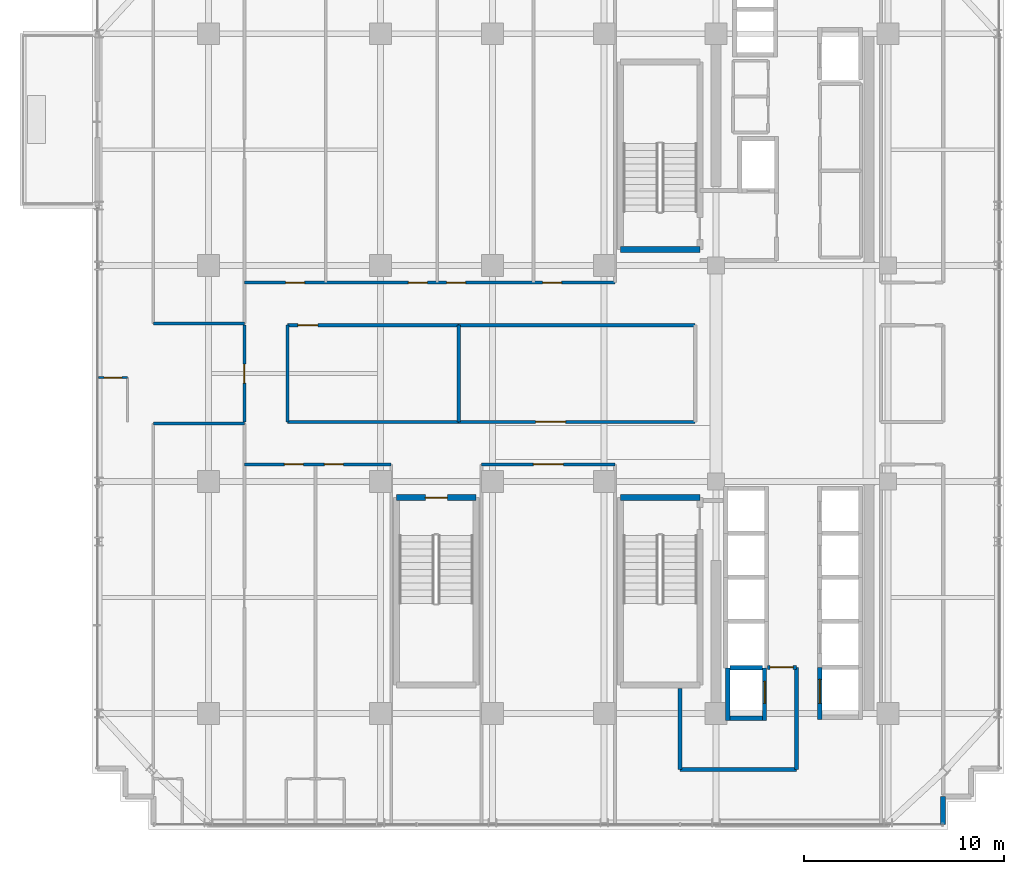
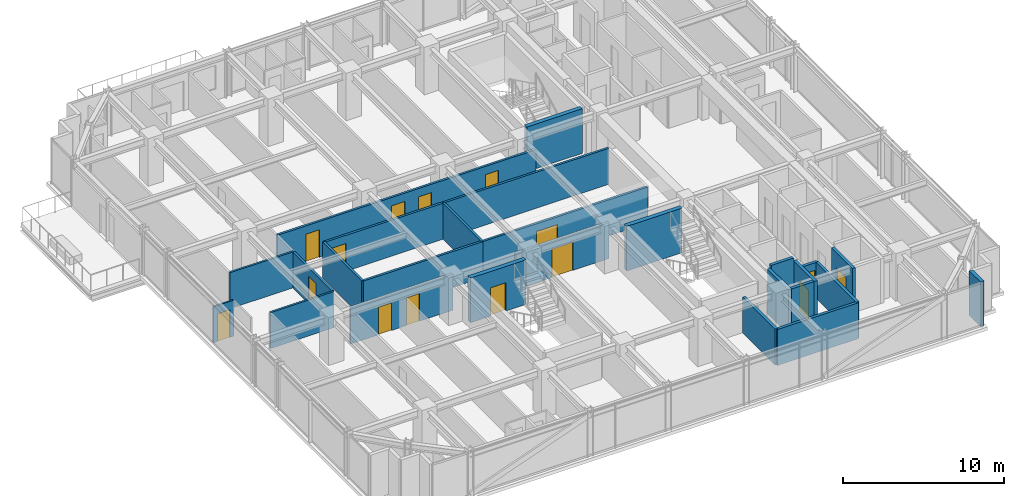
# One storey, part 26 of 32: 26 walls, 15 doors, 15 openings.
"""IFC4 building model written with IfcOpenShell, lengths in metres."""

from ifc_helpers import new_model, si_unit, direction, frame, frame_2d, origin, place, context, subcontext, project, spatial, rectangle, extrude, source, transform, mapped, material, layer, layer_set, type_object, element, fill, save


model = new_model("IFC4")

# Units and contexts
model_context = context("Model", 3, precision=1e-05, world=origin(), true_north=direction((0.0, 1.0)))
body_context = subcontext(model_context, "Body", "Model", "MODEL_VIEW")
ifc_project = project(units=[si_unit("LENGTHUNIT", "METRE"), si_unit("AREAUNIT", "SQUARE_METRE"), si_unit("VOLUMEUNIT", "CUBIC_METRE"), si_unit("PLANEANGLEUNIT", "RADIAN"), si_unit("MASSUNIT", "GRAM", prefix="KILO")], contexts=[model_context])

# Site, building, storey
site_placement = place(None, origin())
site = spatial("IfcSite", under=ifc_project, at=site_placement, CompositionType="ELEMENT")
building_placement = place(site_placement, origin())
building = spatial("IfcBuilding", under=site, at=building_placement, Name="Nahalor Promenade Grand Hotel", CompositionType="ELEMENT")
storey_placement = place(building_placement, frame((0.0, 0.0, 152.64990234375)))
storey = spatial("IfcBuildingStorey", under=building, at=storey_placement, Name="L38", CompositionType="ELEMENT", Elevation=152.64990234375)

# Walls
ifc_material_1 = material(Name="Concrete B-50 (C40/50)", Category="concrete")
ifc_layer_1 = layer(ifc_material_1, 0.300048828125)
ifc_layer_set_1 = layer_set([ifc_layer_1], Name="Concrete B-50 (C40/50)")
wall_type_1 = type_object("IfcWallType", Name="Wall-ShaftShear-300", PredefinedType="SHEAR", material=ifc_layer_set_1)
shared_shape_1 = source(origin(), body_context, "Body", "SweptSolid", [
    extrude(rectangle(XDim=3.97998046875, YDim=0.300048828125, at=frame_2d((1.989990234375, 0.0))), origin(), (0.0, 0.0, 1.0), 3.39013671875),
])
for number, where, z_axis, x_axis, name in (
    (1, (3.610107421875, 6.2099609375, 0.0), (0.0, 0.0, 1.0), (1.0, 0.0, 0.0), "L38 Exit Stair ST1 Shaft Wall S"),
    (2, (3.610107421875, -6.2099609375, 0.0), (0.0, 0.0, 1.0), (1.0, 0.0, 0.0), "L38 Exit Stair ST2 Shaft Wall N"),
):
    element("IfcWall", number, at=place(storey_placement, frame(where, z_axis=z_axis, x_axis=x_axis)), inside=storey, type_object=wall_type_1, Name=name, PredefinedType="SHEAR", context=body_context, shape_type="MappedRepresentation", body=[
        mapped(shared_shape_1, transform((0.0, 0.0, 0.0), scale=1.0)),
    ])

# Wall, opening, door
wall_1_placement = place(storey_placement, frame((-7.590087890625, -6.2099609375, 0.0), z_axis=(0.0, 0.0, 1.0), x_axis=(1.0, 0.0, 0.0)))
wall_1 = element("IfcWall", 3, at=wall_1_placement, inside=storey, type_object=wall_type_1, Name="L38 Exit Stair ST3 Shaft Wall N", PredefinedType="SHEAR", context=body_context, shape_type="MappedRepresentation", body=[
    mapped(shared_shape_1, transform((0.0, 0.0, 0.0), scale=1.0)),
])
opening_1_placement = place(wall_1_placement, frame((1.43994140625, 0.0, 0.0)))
opening_1 = element("IfcOpeningElement", 4, at=opening_1_placement, cuts=wall_1, Name="Opening D-ST1", PredefinedType="OPENING", context=body_context, shape_type="SweptSolid", body=[
    extrude(rectangle(XDim=1.10009765625, YDim=2.14990234375, at=frame_2d((0.550048828125, 1.074951171875))), frame((0.0, 0.159912109375, 0.0), z_axis=(0.0, -1.0, 0.0), x_axis=(1.0, 0.0, 0.0)), (0.0, 0.0, 1.0), 0.320068359375),
])
ifc_material_2 = material(Name="Steel S355JR", Category="steel")
door_type_1 = type_object("IfcDoorType", Name="Door-StairFire-1100", OperationType="NOTDEFINED", PredefinedType="DOOR", material=ifc_material_2)
shared_shape_2 = source(origin(), body_context, "Body", "SweptSolid", [
    extrude(rectangle(XDim=1.10009765625, YDim=2.14990234375, at=frame_2d((0.550048828125, 1.074951171875))), frame((0.0, 0.02490234375, 0.0), z_axis=(0.0, -1.0, 0.0), x_axis=(1.0, 0.0, 0.0)), (0.0, 0.0, 1.0), 0.050048828125),
])
door_1_placement = place(opening_1_placement, frame((1.10009765625, 0.0, 0.0), z_axis=(0.0, 0.0, 1.0), x_axis=(-1.0, 0.0, 0.0)))
door_1 = element("IfcDoor", 5, at=door_1_placement, inside=storey, type_object=door_type_1, Name="DR-STAIR-ST3-L38", OperationType="SINGLE_SWING_LEFT", OverallHeight=2.14990234375, OverallWidth=1.10009765625, PredefinedType="DOOR", context=body_context, shape_type="MappedRepresentation", body=[
    mapped(shared_shape_2, transform((0.0, 0.0, 0.0), scale=1.0)),
])
fill(opening_1, door_1)

# Walls
ifc_layer_2 = layer(ifc_material_1, 0.219970703125)
ifc_layer_set_2 = layer_set([ifc_layer_2], Name="Concrete B-50 (C40/50)")
wall_type_2 = type_object("IfcWallType", Name="Wall-LiftShaft-220", PredefinedType="SHEAR", material=ifc_layer_set_2)
shared_shape_3 = source(origin(), body_context, "Body", "SweptSolid", [
    extrude(rectangle(XDim=1.619873046875, YDim=0.219970703125, at=frame_2d((0.81005859375, 0.0))), origin(), (0.0, 0.0, 1.0), 3.650146484375),
])
wall_2_placement = place(storey_placement, frame((9.090087890625, -14.72509765625, 0.0), z_axis=(0.0, 0.0, 1.0), x_axis=(1.0, 0.0, 0.0)))
element("IfcWall", 6, at=wall_2_placement, inside=storey, type_object=wall_type_2, Name="L38 Lift FL2 Hoistway Wall N", PredefinedType="SHEAR", context=body_context, shape_type="MappedRepresentation", body=[
    mapped(shared_shape_3, transform((0.0, 0.0, 0.0), scale=1.0)),
])
shared_shape_4 = source(origin(), body_context, "Body", "SweptSolid", [
    extrude(rectangle(XDim=2.635009765625, YDim=0.219970703125, at=frame_2d((1.3173828125, 0.0))), origin(), (0.0, 0.0, 1.0), 3.39013671875),
])
wall_3_placement = place(storey_placement, frame((8.97998046875, -17.360107421875, 0.0), z_axis=(0.0, 0.0, 1.0), x_axis=(0.0, 1.0, 0.0)))
element("IfcWall", 7, at=wall_3_placement, inside=storey, type_object=wall_type_2, Name="L38 Lift FL2 Hoistway Wall W", PredefinedType="SHEAR", context=body_context, shape_type="MappedRepresentation", body=[
    mapped(shared_shape_4, transform((0.0, 0.0, 0.0), scale=1.0)),
])

# Wall, opening, door
wall_4_placement = place(storey_placement, frame((10.820068359375, -17.360107421875, 0.0), z_axis=(0.0, 0.0, 1.0), x_axis=(0.0, 1.0, 0.0)))
wall_4 = element("IfcWall", 8, at=wall_4_placement, inside=storey, type_object=wall_type_2, Name="L38 Lift FL2 Hoistway Wall E", PredefinedType="SHEAR", context=body_context, shape_type="MappedRepresentation", body=[
    mapped(shared_shape_4, transform((0.0, 0.0, 0.0), scale=1.0)),
])
opening_2_placement = place(wall_4_placement, frame((0.860107421875, 0.0, 0.0)))
opening_2 = element("IfcOpeningElement", 9, at=opening_2_placement, cuts=wall_4, Name="Opening LD-02", PredefinedType="OPENING", context=body_context, shape_type="SweptSolid", body=[
    extrude(rectangle(XDim=1.10009765625, YDim=2.199951171875, at=frame_2d((0.550048828125, 1.10009765625))), frame((0.0, 0.119873046875, 0.0), z_axis=(0.0, -1.0, 0.0), x_axis=(1.0, 0.0, 0.0)), (0.0, 0.0, 1.0), 0.239990234375),
])
door_type_2 = type_object("IfcDoorType", Name="Door-LiftFF-1100", OperationType="DOUBLE_DOOR_SLIDING", PredefinedType="DOOR", material=ifc_material_2)
shared_shape_5 = source(origin(), body_context, "Body", "SweptSolid", [
    extrude(rectangle(XDim=1.10009765625, YDim=2.199951171875, at=frame_2d((0.550048828125, 1.10009765625))), frame((0.0, 0.02490234375, 0.0), z_axis=(0.0, -1.0, 0.0), x_axis=(1.0, 0.0, 0.0)), (0.0, 0.0, 1.0), 0.050048828125),
])
door_2_placement = place(opening_2_placement, frame((1.10009765625, 0.0, 0.0), z_axis=(0.0, 0.0, 1.0), x_axis=(-1.0, 0.0, 0.0)))
door_2 = element("IfcDoor", 10, at=door_2_placement, inside=storey, type_object=door_type_2, Name="DR-LIFT-FL2-L38", OperationType="DOUBLE_DOOR_SLIDING", OverallHeight=2.199951171875, OverallWidth=1.10009765625, PredefinedType="DOOR", context=body_context, shape_type="MappedRepresentation", body=[
    mapped(shared_shape_5, transform((0.0, 0.0, 0.0), scale=1.0)),
])
fill(opening_2, door_2)

# Wall
shared_shape_6 = source(origin(), body_context, "Body", "SweptSolid", [
    extrude(rectangle(XDim=1.619873046875, YDim=0.219970703125, at=frame_2d((0.81005859375, 0.0))), origin(), (0.0, 0.0, 1.0), 3.39013671875),
])
wall_5_placement = place(storey_placement, frame((9.090087890625, -17.25, 0.0), z_axis=(0.0, 0.0, 1.0), x_axis=(1.0, 0.0, 0.0)))
element("IfcWall", 11, at=wall_5_placement, inside=storey, type_object=wall_type_2, Name="L38 Lift FL2 Hoistway Wall S", PredefinedType="SHEAR", context=body_context, shape_type="MappedRepresentation", body=[
    mapped(shared_shape_6, transform((0.0, 0.0, 0.0), scale=1.0)),
])

# Wall, opening, door
shared_shape_7 = source(origin(), body_context, "Body", "SweptSolid", [
    extrude(rectangle(XDim=2.610107421875, YDim=0.219970703125, at=frame_2d((1.30517578125, 0.0))), origin(), (0.0, 0.0, 1.0), 3.39013671875),
])
wall_6_placement = place(storey_placement, frame((13.580078125, -17.31005859375, 0.0), z_axis=(0.0, 0.0, 1.0), x_axis=(0.0, 1.0, 0.0)))
wall_6 = element("IfcWall", 12, at=wall_6_placement, inside=storey, type_object=wall_type_2, Name="L38 Lift SV2 Hoistway Wall W", PredefinedType="SHEAR", context=body_context, shape_type="MappedRepresentation", body=[
    mapped(shared_shape_7, transform((0.0, 0.0, 0.0), scale=1.0)),
])
opening_3_placement = place(wall_6_placement, frame((0.81005859375, 0.0, 0.0)))
opening_3 = element("IfcOpeningElement", 13, at=opening_3_placement, cuts=wall_6, Name="Opening LD-03", PredefinedType="OPENING", context=body_context, shape_type="SweptSolid", body=[
    extrude(rectangle(XDim=1.199951171875, YDim=2.199951171875, at=frame_2d((0.60009765625, 1.10009765625))), frame((0.0, 0.119873046875, 0.0), z_axis=(0.0, -1.0, 0.0), x_axis=(1.0, 0.0, 0.0)), (0.0, 0.0, 1.0), 0.239990234375),
])
door_type_3 = type_object("IfcDoorType", Name="Door-LiftService-1200", OperationType="DOUBLE_DOOR_SLIDING", PredefinedType="DOOR", material=ifc_material_2)
shared_shape_8 = source(origin(), body_context, "Body", "SweptSolid", [
    extrude(rectangle(XDim=1.199951171875, YDim=2.199951171875, at=frame_2d((0.60009765625, 1.10009765625))), frame((0.0, 0.02490234375, 0.0), z_axis=(0.0, -1.0, 0.0), x_axis=(1.0, 0.0, 0.0)), (0.0, 0.0, 1.0), 0.050048828125),
])
door_3_placement = place(opening_3_placement, origin())
door_3 = element("IfcDoor", 14, at=door_3_placement, inside=storey, type_object=door_type_3, Name="DR-LIFT-SV2-L38", OperationType="DOUBLE_DOOR_SLIDING", OverallHeight=2.199951171875, OverallWidth=1.199951171875, PredefinedType="DOOR", context=body_context, shape_type="MappedRepresentation", body=[
    mapped(shared_shape_8, transform((0.0, 0.0, 0.0), scale=1.0)),
])
fill(opening_3, door_3)

# Walls
ifc_material_3 = material(Name="Concrete B-40 (C32/40)", Category="concrete")
ifc_layer_3 = layer(ifc_material_3, 0.25)
ifc_layer_set_3 = layer_set([ifc_layer_3], Name="Concrete B-40 (C32/40)")
wall_type_3 = type_object("IfcWallType", Name="Wall-BronzePier-250", PredefinedType="STANDARD", material=ifc_layer_set_3)
shared_shape_9 = source(origin(), body_context, "Body", "SweptSolid", [
    extrude(rectangle(XDim=1.400146484375, YDim=0.25, at=frame_2d((0.7001953125, 0.0))), origin(), (0.0, 0.0, 1.0), 3.39013671875),
])
wall_7_placement = place(storey_placement, frame((19.760009765625, -22.56005859375, 0.0), z_axis=(0.0, 0.0, 1.0), x_axis=(0.0, 1.0, 0.0)))
element("IfcWall", 15, at=wall_7_placement, inside=storey, type_object=wall_type_3, Name="W-L38-SR-01", PredefinedType="STANDARD", context=body_context, shape_type="MappedRepresentation", body=[
    mapped(shared_shape_9, transform((0.0, 0.0, 0.0), scale=1.0)),
])
ifc_layer_4 = layer(ifc_material_3, 0.199951171875)
ifc_layer_set_4 = layer_set([ifc_layer_4], Name="Concrete B-40 (C32/40)")
wall_type_4 = type_object("IfcWallType", Name="Wall-PartFire-200", PredefinedType="PARTITIONING", material=ifc_layer_set_4)
shared_shape_10 = source(origin(), body_context, "Body", "SweptSolid", [
    extrude(rectangle(XDim=5.81982421875, YDim=0.199951171875, at=frame_2d((2.909912109375, 0.0))), origin(), (0.0, 0.0, 1.0), 2.72998046875),
])
wall_8_placement = place(storey_placement, frame((6.60009765625, -19.800048828125, 0.0), z_axis=(0.0, 0.0, 1.0), x_axis=(1.0, 0.0, 0.0)))
element("IfcWall", 16, at=wall_8_placement, inside=storey, type_object=wall_type_4, Name="W-L38-FF2-S1", PredefinedType="PARTITIONING", context=body_context, shape_type="MappedRepresentation", body=[
    mapped(shared_shape_10, transform((0.0, 0.0, 0.0), scale=1.0)),
])
shared_shape_11 = source(origin(), body_context, "Body", "SweptSolid", [
    extrude(rectangle(XDim=4.030029296875, YDim=0.199951171875, at=frame_2d((2.01513671875, 0.0))), origin(), (0.0, 0.0, 1.0), 2.72998046875),
])
wall_9_placement = place(storey_placement, frame((6.60009765625, -19.800048828125, 0.0), z_axis=(0.0, 0.0, 1.0), x_axis=(0.0, 1.0, 0.0)))
element("IfcWall", 17, at=wall_9_placement, inside=storey, type_object=wall_type_4, Name="W-L38-FF2-W1", PredefinedType="PARTITIONING", context=body_context, shape_type="MappedRepresentation", body=[
    mapped(shared_shape_11, transform((0.0, 0.0, 0.0), scale=1.0)),
])
shared_shape_12 = source(origin(), body_context, "Body", "SweptSolid", [
    extrude(rectangle(XDim=5.10009765625, YDim=0.199951171875, at=frame_2d((2.550048828125, 0.0))), origin(), (0.0, 0.0, 1.0), 2.72998046875),
])
wall_10_placement = place(storey_placement, frame((12.419921875, -19.800048828125, 0.0), z_axis=(0.0, 0.0, 1.0), x_axis=(0.0, 1.0, 0.0)))
element("IfcWall", 18, at=wall_10_placement, inside=storey, type_object=wall_type_4, Name="W-L38-FF2-E", PredefinedType="PARTITIONING", context=body_context, shape_type="MappedRepresentation", body=[
    mapped(shared_shape_12, transform((0.0, 0.0, 0.0), scale=1.0)),
])

# Wall, opening, door
shared_shape_13 = source(origin(), body_context, "Body", "SweptSolid", [
    extrude(rectangle(XDim=1.4599609375, YDim=0.199951171875, at=frame_2d((0.72998046875, 0.0))), origin(), (0.0, 0.0, 1.0), 2.72998046875),
])
wall_11_placement = place(storey_placement, frame((10.9599609375, -14.699951171875, 0.0), z_axis=(0.0, 0.0, 1.0), x_axis=(1.0, 0.0, 0.0)))
wall_11 = element("IfcWall", 19, at=wall_11_placement, inside=storey, type_object=wall_type_4, Name="W-L38-FF2-N1", PredefinedType="PARTITIONING", context=body_context, shape_type="MappedRepresentation", body=[
    mapped(shared_shape_13, transform((0.0, 0.0, 0.0), scale=1.0)),
])
opening_4_placement = place(wall_11_placement, frame((0.14501953125, 0.0, 0.0)))
opening_4 = element("IfcOpeningElement", 20, at=opening_4_placement, cuts=wall_11, Name="Opening D-FF1", PredefinedType="OPENING", context=body_context, shape_type="SweptSolid", body=[
    extrude(rectangle(XDim=1.14990234375, YDim=2.14990234375, at=frame_2d((0.574951171875, 1.074951171875))), frame((0.0, 0.10986328125, 0.0), z_axis=(0.0, -1.0, 0.0), x_axis=(1.0, 0.0, 0.0)), (0.0, 0.0, 1.0), 0.219970703125),
])
door_type_4 = type_object("IfcDoorType", Name="Door-FFLobby-1150", OperationType="NOTDEFINED", PredefinedType="DOOR", material=ifc_material_2)
shared_shape_14 = source(origin(), body_context, "Body", "SweptSolid", [
    extrude(rectangle(XDim=1.14990234375, YDim=2.14990234375, at=frame_2d((0.574951171875, 1.074951171875))), frame((0.0, 0.02490234375, 0.0), z_axis=(0.0, -1.0, 0.0), x_axis=(1.0, 0.0, 0.0)), (0.0, 0.0, 1.0), 0.050048828125),
])
door_4_placement = place(opening_4_placement, origin())
door_4 = element("IfcDoor", 21, at=door_4_placement, inside=storey, type_object=door_type_4, Name="DR-L38-FFL2", OperationType="SINGLE_SWING_RIGHT", OverallHeight=2.14990234375, OverallWidth=1.14990234375, PredefinedType="DOOR", context=body_context, shape_type="MappedRepresentation", body=[
    mapped(shared_shape_14, transform((0.0, 0.0, 0.0), scale=1.0)),
])
fill(opening_4, door_4)

# Walls
ifc_material_4 = material(Name="Acoustic Mineral Gypsum", Category="gypsum")
ifc_layer_5 = layer(ifc_material_4, 0.139892578125)
ifc_layer_set_5 = layer_set([ifc_layer_5], Name="Acoustic Mineral Gypsum")
wall_type_5 = type_object("IfcWallType", Name="Wall-PartSuite-140", PredefinedType="PARTITIONING", material=ifc_layer_set_5)
shared_shape_15 = source(origin(), body_context, "Body", "SweptSolid", [
    extrude(rectangle(XDim=4.56005859375, YDim=0.139892578125, at=frame_2d((2.280029296875, 0.0))), origin(), (0.0, 0.0, 1.0), 2.72998046875),
])
for number, where, z_axis, x_axis, name in (
    (22, (-19.760009765625, 2.5, 0.0), (0.0, 0.0, 1.0), (1.0, 0.0, 0.0), "W-L38-ZNW-S"),
    (23, (-19.760009765625, -2.5, 0.0), (0.0, 0.0, 1.0), (1.0, 0.0, 0.0), "W-L38-ZSW-N"),
):
    element("IfcWall", number, at=place(storey_placement, frame(where, z_axis=z_axis, x_axis=x_axis)), inside=storey, type_object=wall_type_5, Name=name, PredefinedType="PARTITIONING", context=body_context, shape_type="MappedRepresentation", body=[
        mapped(shared_shape_15, transform((0.0, 0.0, 0.0), scale=1.0)),
    ])

# Wall, opening, door
ifc_layer_6 = layer(ifc_material_4, 0.1201171875)
ifc_layer_set_6 = layer_set([ifc_layer_6], Name="Acoustic Mineral Gypsum")
wall_type_6 = type_object("IfcWallType", Name="Wall-PartBath-120", PredefinedType="PARTITIONING", material=ifc_layer_set_6)
shared_shape_16 = source(origin(), body_context, "Body", "SweptSolid", [
    extrude(rectangle(XDim=1.449951171875, YDim=0.1201171875, at=frame_2d((0.72509765625, 0.0))), origin(), (0.0, 0.0, 1.0), 2.72998046875),
])
wall_12_placement = place(storey_placement, frame((-22.5, -0.199951171875, 0.0), z_axis=(0.0, 0.0, 1.0), x_axis=(1.0, 0.0, 0.0)))
wall_12 = element("IfcWall", 24, at=wall_12_placement, inside=storey, type_object=wall_type_6, Name="W-L38-W1-BH", PredefinedType="PARTITIONING", context=body_context, shape_type="MappedRepresentation", body=[
    mapped(shared_shape_16, transform((0.0, 0.0, 0.0), scale=1.0)),
])
opening_5_placement = place(wall_12_placement, frame((0.284912109375, 0.0, 0.0)))
opening_5 = element("IfcOpeningElement", 25, at=opening_5_placement, cuts=wall_12, Name="Opening D-03", PredefinedType="OPENING", context=body_context, shape_type="SweptSolid", body=[
    extrude(rectangle(XDim=0.8798828125, YDim=2.10009765625, at=frame_2d((0.43994140625, 1.050048828125))), frame((0.0, 0.070068359375, 0.0), z_axis=(0.0, -1.0, 0.0), x_axis=(1.0, 0.0, 0.0)), (0.0, 0.0, 1.0), 0.14013671875),
])
ifc_material_5 = material(Name="Fire-Rated Timber Composite", Category="wood")
door_type_5 = type_object("IfcDoorType", Name="Door-BathSwing-880", OperationType="NOTDEFINED", PredefinedType="DOOR", material=ifc_material_5)
shared_shape_17 = source(origin(), body_context, "Body", "SweptSolid", [
    extrude(rectangle(XDim=0.8798828125, YDim=2.10009765625, at=frame_2d((0.43994140625, 1.050048828125))), frame((0.0, 0.02490234375, 0.0), z_axis=(0.0, -1.0, 0.0), x_axis=(1.0, 0.0, 0.0)), (0.0, 0.0, 1.0), 0.050048828125),
])
door_5_placement = place(opening_5_placement, frame((0.8798828125, 0.0, 0.0), z_axis=(0.0, 0.0, 1.0), x_axis=(-1.0, 0.0, 0.0)))
door_5 = element("IfcDoor", 26, at=door_5_placement, inside=storey, type_object=door_type_5, Name="DR-L38-W1-BATH", OperationType="SINGLE_SWING_LEFT", OverallHeight=2.10009765625, OverallWidth=0.8798828125, PredefinedType="DOOR", context=body_context, shape_type="MappedRepresentation", body=[
    mapped(shared_shape_17, transform((0.0, 0.0, 0.0), scale=1.0)),
])
fill(opening_5, door_5)

# Wall, openings, doors
ifc_layer_7 = layer(ifc_material_4, 0.159912109375)
ifc_layer_set_7 = layer_set([ifc_layer_7], Name="Acoustic Mineral Gypsum")
wall_type_7 = type_object("IfcWallType", Name="Wall-PartCorridor-160", PredefinedType="PARTITIONING", material=ifc_layer_set_7)
shared_shape_18 = source(origin(), body_context, "Body", "SweptSolid", [
    extrude(rectangle(XDim=18.5400390625, YDim=0.159912109375, at=frame_2d((9.27001953125, 0.0))), origin(), (0.0, 0.0, 1.0), 2.72998046875),
])
wall_13_placement = place(storey_placement, frame((-15.199951171875, 4.550048828125, 0.0), z_axis=(0.0, 0.0, 1.0), x_axis=(1.0, 0.0, 0.0)))
wall_13 = element("IfcWall", 27, at=wall_13_placement, inside=storey, type_object=wall_type_7, Name="W-L38-CORR-N", PredefinedType="PARTITIONING", context=body_context, shape_type="MappedRepresentation", body=[
    mapped(shared_shape_18, transform((0.0, 0.0, 0.0), scale=1.0)),
])
opening_6_placement = place(wall_13_placement, frame((2.06201171875, 0.0, 0.0)))
opening_6 = element("IfcOpeningElement", 28, at=opening_6_placement, cuts=wall_13, Name="Opening D-01", PredefinedType="OPENING", context=body_context, shape_type="SweptSolid", body=[
    extrude(rectangle(XDim=0.949951171875, YDim=2.10009765625, at=frame_2d((0.47509765625, 1.050048828125))), frame((0.0, 0.08984375, 0.0), z_axis=(0.0, -1.0, 0.0), x_axis=(1.0, 0.0, 0.0)), (0.0, 0.0, 1.0), 0.179931640625),
])
opening_7_placement = place(wall_13_placement, frame((8.202880859375, 0.0, 0.0)))
opening_7 = element("IfcOpeningElement", 29, at=opening_7_placement, cuts=wall_13, Name="Opening D-01", PredefinedType="OPENING", context=body_context, shape_type="SweptSolid", body=[
    extrude(rectangle(XDim=0.949951171875, YDim=2.10009765625, at=frame_2d((0.47509765625, 1.050048828125))), frame((0.0, 0.08984375, 0.0), z_axis=(0.0, -1.0, 0.0), x_axis=(1.0, 0.0, 0.0)), (0.0, 0.0, 1.0), 0.179931640625),
])
opening_8_placement = place(wall_13_placement, frame((10.113037109375, 0.0, 0.0)))
opening_8 = element("IfcOpeningElement", 30, at=opening_8_placement, cuts=wall_13, Name="Opening D-01", PredefinedType="OPENING", context=body_context, shape_type="SweptSolid", body=[
    extrude(rectangle(XDim=0.949951171875, YDim=2.10009765625, at=frame_2d((0.47509765625, 1.050048828125))), frame((0.0, 0.08984375, 0.0), z_axis=(0.0, -1.0, 0.0), x_axis=(1.0, 0.0, 0.0)), (0.0, 0.0, 1.0), 0.179931640625),
])
opening_9_placement = place(wall_13_placement, frame((14.916015625, 0.0, 0.0)))
opening_9 = element("IfcOpeningElement", 31, at=opening_9_placement, cuts=wall_13, Name="Opening D-01", PredefinedType="OPENING", context=body_context, shape_type="SweptSolid", body=[
    extrude(rectangle(XDim=0.949951171875, YDim=2.10009765625, at=frame_2d((0.47509765625, 1.050048828125))), frame((0.0, 0.08984375, 0.0), z_axis=(0.0, -1.0, 0.0), x_axis=(1.0, 0.0, 0.0)), (0.0, 0.0, 1.0), 0.179931640625),
])
door_type_6 = type_object("IfcDoorType", Name="Door-GuestEntry-950", OperationType="NOTDEFINED", PredefinedType="DOOR", material=ifc_material_5)
shared_shape_19 = source(origin(), body_context, "Body", "SweptSolid", [
    extrude(rectangle(XDim=0.949951171875, YDim=2.10009765625, at=frame_2d((0.47509765625, 1.050048828125))), frame((0.0, 0.02490234375, 0.0), z_axis=(0.0, -1.0, 0.0), x_axis=(1.0, 0.0, 0.0)), (0.0, 0.0, 1.0), 0.050048828125),
])
door_6_placement = place(opening_6_placement, origin())
door_6 = element("IfcDoor", 32, at=door_6_placement, inside=storey, type_object=door_type_6, Name="DR-L38-N1-ENT", OperationType="SINGLE_SWING_RIGHT", OverallHeight=2.10009765625, OverallWidth=0.949951171875, PredefinedType="DOOR", context=body_context, shape_type="MappedRepresentation", body=[
    mapped(shared_shape_19, transform((0.0, 0.0, 0.0), scale=1.0)),
])
fill(opening_6, door_6)
door_7_placement = place(opening_7_placement, origin())
door_7 = element("IfcDoor", 33, at=door_7_placement, inside=storey, type_object=door_type_6, Name="DR-L38-N2-ENT", OperationType="SINGLE_SWING_RIGHT", OverallHeight=2.10009765625, OverallWidth=0.949951171875, PredefinedType="DOOR", context=body_context, shape_type="MappedRepresentation", body=[
    mapped(shared_shape_19, transform((0.0, 0.0, 0.0), scale=1.0)),
])
fill(opening_7, door_7)
door_8_placement = place(opening_8_placement, origin())
door_8 = element("IfcDoor", 34, at=door_8_placement, inside=storey, type_object=door_type_6, Name="DR-L38-N3-ENT", OperationType="SINGLE_SWING_RIGHT", OverallHeight=2.10009765625, OverallWidth=0.949951171875, PredefinedType="DOOR", context=body_context, shape_type="MappedRepresentation", body=[
    mapped(shared_shape_19, transform((0.0, 0.0, 0.0), scale=1.0)),
])
fill(opening_8, door_8)
door_9_placement = place(opening_9_placement, origin())
door_9 = element("IfcDoor", 35, at=door_9_placement, inside=storey, type_object=door_type_6, Name="DR-L38-N4-ENT", OperationType="SINGLE_SWING_RIGHT", OverallHeight=2.10009765625, OverallWidth=0.949951171875, PredefinedType="DOOR", context=body_context, shape_type="MappedRepresentation", body=[
    mapped(shared_shape_19, transform((0.0, 0.0, 0.0), scale=1.0)),
])
fill(opening_9, door_9)

shared_shape_20 = source(origin(), body_context, "Body", "SweptSolid", [
    extrude(rectangle(XDim=7.33984375, YDim=0.159912109375, at=frame_2d((3.669921875, 0.0))), origin(), (0.0, 0.0, 1.0), 2.72998046875),
])
wall_14_placement = place(storey_placement, frame((-15.199951171875, -4.550048828125, 0.0), z_axis=(0.0, 0.0, 1.0), x_axis=(1.0, 0.0, 0.0)))
wall_14 = element("IfcWall", 36, at=wall_14_placement, inside=storey, type_object=wall_type_7, Name="W-L38-CORR-S", PredefinedType="PARTITIONING", context=body_context, shape_type="MappedRepresentation", body=[
    mapped(shared_shape_20, transform((0.0, 0.0, 0.0), scale=1.0)),
])
opening_10_placement = place(wall_14_placement, frame((2.0, 0.0, 0.0)))
opening_10 = element("IfcOpeningElement", 37, at=opening_10_placement, cuts=wall_14, Name="Opening D-01", PredefinedType="OPENING", context=body_context, shape_type="SweptSolid", body=[
    extrude(rectangle(XDim=0.949951171875, YDim=2.10009765625, at=frame_2d((0.47509765625, 1.050048828125))), frame((0.0, 0.08984375, 0.0), z_axis=(0.0, -1.0, 0.0), x_axis=(1.0, 0.0, 0.0)), (0.0, 0.0, 1.0), 0.179931640625),
])
opening_11_placement = place(wall_14_placement, frame((3.9990234375, 0.0, 0.0)))
opening_11 = element("IfcOpeningElement", 38, at=opening_11_placement, cuts=wall_14, Name="Opening D-01", PredefinedType="OPENING", context=body_context, shape_type="SweptSolid", body=[
    extrude(rectangle(XDim=0.949951171875, YDim=2.10009765625, at=frame_2d((0.47509765625, 1.050048828125))), frame((0.0, 0.08984375, 0.0), z_axis=(0.0, -1.0, 0.0), x_axis=(1.0, 0.0, 0.0)), (0.0, 0.0, 1.0), 0.179931640625),
])
door_10_placement = place(opening_10_placement, frame((0.949951171875, 0.0, 0.0), z_axis=(0.0, 0.0, 1.0), x_axis=(-1.0, 0.0, 0.0)))
door_10 = element("IfcDoor", 39, at=door_10_placement, inside=storey, type_object=door_type_6, Name="DR-L38-S1-ENT", OperationType="SINGLE_SWING_RIGHT", OverallHeight=2.10009765625, OverallWidth=0.949951171875, PredefinedType="DOOR", context=body_context, shape_type="MappedRepresentation", body=[
    mapped(shared_shape_19, transform((0.0, 0.0, 0.0), scale=1.0)),
])
fill(opening_10, door_10)
door_11_placement = place(opening_11_placement, frame((0.949951171875, 0.0, 0.0), z_axis=(0.0, 0.0, 1.0), x_axis=(-1.0, 0.0, 0.0)))
door_11 = element("IfcDoor", 40, at=door_11_placement, inside=storey, type_object=door_type_6, Name="DR-L38-S2-ENT", OperationType="SINGLE_SWING_RIGHT", OverallHeight=2.10009765625, OverallWidth=0.949951171875, PredefinedType="DOOR", context=body_context, shape_type="MappedRepresentation", body=[
    mapped(shared_shape_19, transform((0.0, 0.0, 0.0), scale=1.0)),
])
fill(opening_11, door_11)

# Wall, opening, door
shared_shape_21 = source(origin(), body_context, "Body", "SweptSolid", [
    extrude(rectangle(XDim=6.68017578125, YDim=0.159912109375, at=frame_2d((3.340087890625, 0.0))), origin(), (0.0, 0.0, 1.0), 2.72998046875),
])
wall_15_placement = place(storey_placement, frame((-3.340087890625, -4.550048828125, 0.0), z_axis=(0.0, 0.0, 1.0), x_axis=(1.0, 0.0, 0.0)))
wall_15 = element("IfcWall", 41, at=wall_15_placement, inside=storey, type_object=wall_type_7, Name="W-L38-SCB-N", PredefinedType="PARTITIONING", context=body_context, shape_type="MappedRepresentation", body=[
    mapped(shared_shape_21, transform((0.0, 0.0, 0.0), scale=1.0)),
])
opening_12_placement = place(wall_15_placement, frame((2.590087890625, 0.0, 0.0)))
opening_12 = element("IfcOpeningElement", 42, at=opening_12_placement, cuts=wall_15, Name="Opening D-02", PredefinedType="OPENING", context=body_context, shape_type="SweptSolid", body=[
    extrude(rectangle(XDim=1.5, YDim=2.14990234375, at=frame_2d((0.75, 1.074951171875))), frame((0.0, 0.08984375, 0.0), z_axis=(0.0, -1.0, 0.0), x_axis=(1.0, 0.0, 0.0)), (0.0, 0.0, 1.0), 0.179931640625),
])
door_type_7 = type_object("IfcDoorType", Name="Door-SuiteDouble-1500", OperationType="DOUBLE_DOOR_SINGLE_SWING", PredefinedType="DOOR", material=ifc_material_5)
shared_shape_22 = source(origin(), body_context, "Body", "SweptSolid", [
    extrude(rectangle(XDim=1.5, YDim=2.14990234375, at=frame_2d((0.75, 1.074951171875))), frame((0.0, 0.02490234375, 0.0), z_axis=(0.0, -1.0, 0.0), x_axis=(1.0, 0.0, 0.0)), (0.0, 0.0, 1.0), 0.050048828125),
])
door_12_placement = place(opening_12_placement, frame((1.5, 0.0, 0.0), z_axis=(0.0, 0.0, 1.0), x_axis=(-1.0, 0.0, 0.0)))
door_12 = element("IfcDoor", 43, at=door_12_placement, inside=storey, type_object=door_type_7, Name="DR-L38-SCB", OperationType="DOUBLE_DOOR_SINGLE_SWING", OverallHeight=2.14990234375, OverallWidth=1.5, PredefinedType="DOOR", context=body_context, shape_type="MappedRepresentation", body=[
    mapped(shared_shape_22, transform((0.0, 0.0, 0.0), scale=1.0)),
])
fill(opening_12, door_12)

shared_shape_23 = source(origin(), body_context, "Body", "SweptSolid", [
    extrude(rectangle(XDim=4.83984375, YDim=0.159912109375, at=frame_2d((2.419921875, 0.0))), origin(), (0.0, 0.0, 1.0), 2.72998046875),
])
wall_16_placement = place(storey_placement, frame((-15.199951171875, -2.419921875, 0.0), z_axis=(0.0, 0.0, 1.0), x_axis=(0.0, 1.0, 0.0)))
wall_16 = element("IfcWall", 44, at=wall_16_placement, inside=storey, type_object=wall_type_7, Name="W-L38-WEST-E", PredefinedType="PARTITIONING", context=body_context, shape_type="MappedRepresentation", body=[
    mapped(shared_shape_23, transform((0.0, 0.0, 0.0), scale=1.0)),
])
opening_13_placement = place(wall_16_placement, frame((1.945068359375, 0.0, 0.0)))
opening_13 = element("IfcOpeningElement", 45, at=opening_13_placement, cuts=wall_16, Name="Opening D-01", PredefinedType="OPENING", context=body_context, shape_type="SweptSolid", body=[
    extrude(rectangle(XDim=0.949951171875, YDim=2.10009765625, at=frame_2d((0.47509765625, 1.050048828125))), frame((0.0, 0.08984375, 0.0), z_axis=(0.0, -1.0, 0.0), x_axis=(1.0, 0.0, 0.0)), (0.0, 0.0, 1.0), 0.179931640625),
])
door_13_placement = place(opening_13_placement, origin())
door_13 = element("IfcDoor", 46, at=door_13_placement, inside=storey, type_object=door_type_6, Name="DR-L38-W1-ENT", OperationType="SINGLE_SWING_RIGHT", OverallHeight=2.10009765625, OverallWidth=0.949951171875, PredefinedType="DOOR", context=body_context, shape_type="MappedRepresentation", body=[
    mapped(shared_shape_19, transform((0.0, 0.0, 0.0), scale=1.0)),
])
fill(opening_13, door_13)

# Walls
for number, where, z_axis, x_axis, name in (
    (47, (-13.050048828125, -2.419921875, 0.0), (0.0, 0.0, 1.0), (0.0, 1.0, 0.0), "W-L38-CM1-W"),
    (48, (-4.48193359375, -2.419921875, 0.0), (0.0, 0.0, 1.0), (0.0, 1.0, 0.0), "W-L38-CM1-E"),
):
    element("IfcWall", number, at=place(storey_placement, frame(where, z_axis=z_axis, x_axis=x_axis)), inside=storey, type_object=wall_type_7, Name=name, PredefinedType="PARTITIONING", context=body_context, shape_type="MappedRepresentation", body=[
        mapped(shared_shape_23, transform((0.0, 0.0, 0.0), scale=1.0)),
    ])
shared_shape_24 = source(origin(), body_context, "Body", "SweptSolid", [
    extrude(rectangle(XDim=8.568115234375, YDim=0.159912109375, at=frame_2d((4.2841796875, 0.0))), origin(), (0.0, 0.0, 1.0), 2.72998046875),
])
wall_17_placement = place(storey_placement, frame((-13.050048828125, -2.419921875, 0.0), z_axis=(0.0, 0.0, 1.0), x_axis=(1.0, 0.0, 0.0)))
element("IfcWall", 49, at=wall_17_placement, inside=storey, type_object=wall_type_7, Name="W-L38-CM1-S", PredefinedType="PARTITIONING", context=body_context, shape_type="MappedRepresentation", body=[
    mapped(shared_shape_24, transform((0.0, 0.0, 0.0), scale=1.0)),
])

# Wall, opening, door
wall_18_placement = place(storey_placement, frame((-13.050048828125, 2.419921875, 0.0), z_axis=(0.0, 0.0, 1.0), x_axis=(1.0, 0.0, 0.0)))
wall_18 = element("IfcWall", 50, at=wall_18_placement, inside=storey, type_object=wall_type_7, Name="W-L38-CM1-N", PredefinedType="PARTITIONING", context=body_context, shape_type="MappedRepresentation", body=[
    mapped(shared_shape_24, transform((0.0, 0.0, 0.0), scale=1.0)),
])
opening_14_placement = place(wall_18_placement, frame((0.528076171875, 0.0, 0.0)))
opening_14 = element("IfcOpeningElement", 51, at=opening_14_placement, cuts=wall_18, Name="Opening D-04", PredefinedType="OPENING", context=body_context, shape_type="SweptSolid", body=[
    extrude(rectangle(XDim=1.0, YDim=2.10009765625, at=frame_2d((0.5, 1.050048828125))), frame((0.0, 0.08984375, 0.0), z_axis=(0.0, -1.0, 0.0), x_axis=(1.0, 0.0, 0.0)), (0.0, 0.0, 1.0), 0.179931640625),
])
door_type_8 = type_object("IfcDoorType", Name="Door-ServiceFire-1000", OperationType="NOTDEFINED", PredefinedType="DOOR", material=ifc_material_2)
shared_shape_25 = source(origin(), body_context, "Body", "SweptSolid", [
    extrude(rectangle(XDim=1.0, YDim=2.10009765625, at=frame_2d((0.5, 1.050048828125))), frame((0.0, 0.02490234375, 0.0), z_axis=(0.0, -1.0, 0.0), x_axis=(1.0, 0.0, 0.0)), (0.0, 0.0, 1.0), 0.050048828125),
])
door_14_placement = place(opening_14_placement, frame((1.0, 0.0, 0.0), z_axis=(0.0, 0.0, 1.0), x_axis=(-1.0, 0.0, 0.0)))
door_14 = element("IfcDoor", 52, at=door_14_placement, inside=storey, type_object=door_type_8, Name="DR-L38-CM1", OperationType="SINGLE_SWING_LEFT", OverallHeight=2.10009765625, OverallWidth=1.0, PredefinedType="DOOR", context=body_context, shape_type="MappedRepresentation", body=[
    mapped(shared_shape_25, transform((0.0, 0.0, 0.0), scale=1.0)),
])
fill(opening_14, door_14)

shared_shape_26 = source(origin(), body_context, "Body", "SweptSolid", [
    extrude(rectangle(XDim=11.83203125, YDim=0.159912109375, at=frame_2d((5.916015625, 0.0))), origin(), (0.0, 0.0, 1.0), 2.72998046875),
])
wall_19_placement = place(storey_placement, frame((-4.48193359375, -2.419921875, 0.0), z_axis=(0.0, 0.0, 1.0), x_axis=(1.0, 0.0, 0.0)))
wall_19 = element("IfcWall", 53, at=wall_19_placement, inside=storey, type_object=wall_type_7, Name="W-L38-CM2-S", PredefinedType="PARTITIONING", context=body_context, shape_type="MappedRepresentation", body=[
    mapped(shared_shape_26, transform((0.0, 0.0, 0.0), scale=1.0)),
])
opening_15_placement = place(wall_19_placement, frame((3.85205078125, 0.0, 0.0)))
opening_15 = element("IfcOpeningElement", 54, at=opening_15_placement, cuts=wall_19, Name="Opening D-02", PredefinedType="OPENING", context=body_context, shape_type="SweptSolid", body=[
    extrude(rectangle(XDim=1.5, YDim=2.14990234375, at=frame_2d((0.75, 1.074951171875))), frame((0.0, 0.08984375, 0.0), z_axis=(0.0, -1.0, 0.0), x_axis=(1.0, 0.0, 0.0)), (0.0, 0.0, 1.0), 0.179931640625),
])
door_15_placement = place(opening_15_placement, origin())
door_15 = element("IfcDoor", 55, at=door_15_placement, inside=storey, type_object=door_type_7, Name="DR-L38-CM2", OperationType="DOUBLE_DOOR_SINGLE_SWING", OverallHeight=2.14990234375, OverallWidth=1.5, PredefinedType="DOOR", context=body_context, shape_type="MappedRepresentation", body=[
    mapped(shared_shape_22, transform((0.0, 0.0, 0.0), scale=1.0)),
])
fill(opening_15, door_15)

# Wall
wall_20_placement = place(storey_placement, frame((-4.48193359375, 2.419921875, 0.0), z_axis=(0.0, 0.0, 1.0), x_axis=(1.0, 0.0, 0.0)))
element("IfcWall", 56, at=wall_20_placement, inside=storey, type_object=wall_type_7, Name="W-L38-CM2-N", PredefinedType="PARTITIONING", context=body_context, shape_type="MappedRepresentation", body=[
    mapped(shared_shape_26, transform((0.0, 0.0, 0.0), scale=1.0)),
])

save(model, "model.ifc")
